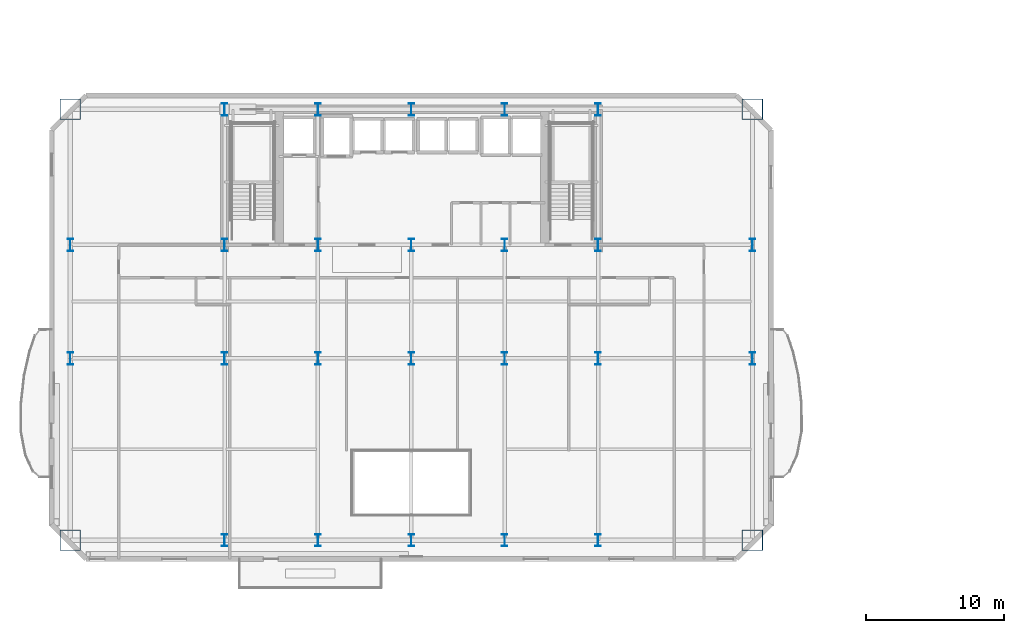
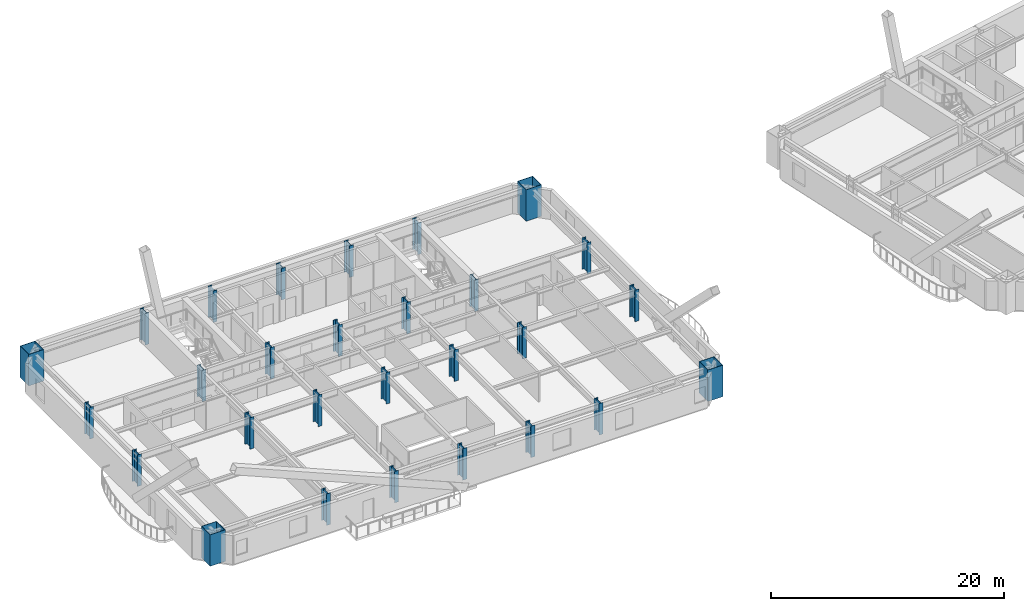
# One storey, part 1 of 18: 28 columns.
"""IFC4 building model written with IfcOpenShell, lengths in metres."""

from ifc_helpers import new_model, si_unit, direction, frame, origin, origin_2d, place, context, subcontext, project, spatial, hollow_rectangle, i_section, extrude, material, material_profile, profile_set, type_object, element, save


model = new_model("IFC4")

# Units and contexts
model_context = context("Model", 3, precision=1e-05, world=origin(), true_north=direction((0.0, 1.0)))
body_context = subcontext(model_context, "Body", "Model", "MODEL_VIEW")
ifc_project = project(units=[si_unit("LENGTHUNIT", "METRE"), si_unit("AREAUNIT", "SQUARE_METRE"), si_unit("VOLUMEUNIT", "CUBIC_METRE"), si_unit("PLANEANGLEUNIT", "RADIAN"), si_unit("MASSUNIT", "GRAM", prefix="KILO")], contexts=[model_context])

# Site, building, storey
site_placement = place(None, origin())
site = spatial("IfcSite", under=ifc_project, at=site_placement, CompositionType="ELEMENT")
building_placement = place(site_placement, origin())
building = spatial("IfcBuilding", under=site, at=building_placement, Name="Haevon Station Towers", CompositionType="ELEMENT")
storey_placement = place(building_placement, frame((0.0, 0.0, 60.300048828125)))
storey = spatial("IfcBuildingStorey", under=building, at=storey_placement, Name="L15", CompositionType="ELEMENT", Elevation=60.300048828125)

# Columns
ifc_material = material(Name="Steel S460", Category="steel")
ifc_material_profile_1 = material_profile(ifc_material, hollow_rectangle(XDim=1.5, YDim=1.5, WallThickness=0.0400390625, at=origin_2d()), Name="BOX-1500x1500x40")
ifc_profile_set_1 = profile_set([ifc_material_profile_1], Name="Steel S460")
column_type_1 = type_object("IfcColumnType", Name="COL-MC2", PredefinedType="COLUMN", material=ifc_profile_set_1)
for number, where, z_axis, x_axis, name in (
    (1, (12.85009765625, 16.85009765625, 0.0), (0.0, 0.0, 1.0), (1.0, 0.0, 0.0), "COL-T1-L15-01-01"),
    (2, (12.85009765625, 48.0, 0.0), (0.0, 0.0, 1.0), (1.0, 0.0, 0.0), "COL-T1-L15-01-04"),
    (3, (62.14990234375, 16.85009765625, 0.0), (0.0, 0.0, 1.0), (1.0, 0.0, 0.0), "COL-T1-L15-07-01"),
    (4, (62.14990234375, 48.0, 0.0), (0.0, 0.0, 1.0), (1.0, 0.0, 0.0), "COL-T1-L15-07-04"),
):
    element("IfcColumn", number, at=place(storey_placement, frame(where, z_axis=z_axis, x_axis=x_axis)), inside=storey, type_object=column_type_1, Name=name, PredefinedType="COLUMN", context=body_context, shape_type="SweptSolid", body=[
        extrude(hollow_rectangle(XDim=1.5, YDim=1.5, WallThickness=0.0400390625, at=origin_2d()), origin(), (0.0, 0.0, 1.0), 3.300048828125),
    ])
ifc_material_profile_2 = material_profile(ifc_material, i_section(OverallWidth=0.39990234375, OverallDepth=0.89990234375, WebThickness=0.02001953125, FlangeThickness=0.035888671875, at=origin_2d()), Name="H-900x400x20x36")
ifc_profile_set_2 = profile_set([ifc_material_profile_2], Name="Steel S460")
column_type_2 = type_object("IfcColumnType", Name="COL-TW1", PredefinedType="COLUMN", material=ifc_profile_set_2)
for number, where, z_axis, x_axis, name in (
    (5, (12.85009765625, 30.0, 0.0), (0.0, 0.0, 1.0), (1.0, 0.0, 0.0), "COL-T1-L15-01-02"),
    (6, (12.85009765625, 38.199951171875, 0.0), (0.0, 0.0, 1.0), (1.0, 0.0, 0.0), "COL-T1-L15-01-03"),
    (7, (24.0, 16.85009765625, 0.0), (0.0, 0.0, 1.0), (1.0, 0.0, 0.0), "COL-T1-L15-02-01"),
    (8, (24.0, 30.0, 0.0), (0.0, 0.0, 1.0), (1.0, 0.0, 0.0), "COL-T1-L15-02-02"),
    (9, (24.0, 38.199951171875, 0.0), (0.0, 0.0, 1.0), (1.0, 0.0, 0.0), "COL-T1-L15-02-03"),
    (10, (24.0, 48.0, 0.0), (0.0, 0.0, 1.0), (1.0, 0.0, 0.0), "COL-T1-L15-02-04"),
    (11, (30.75, 16.85009765625, 0.0), (0.0, 0.0, 1.0), (1.0, 0.0, 0.0), "COL-T1-L15-03-01"),
    (12, (30.75, 30.0, 0.0), (0.0, 0.0, 1.0), (1.0, 0.0, 0.0), "COL-T1-L15-03-02"),
    (13, (30.75, 38.199951171875, 0.0), (0.0, 0.0, 1.0), (1.0, 0.0, 0.0), "COL-T1-L15-03-03"),
    (14, (30.75, 48.0, 0.0), (0.0, 0.0, 1.0), (1.0, 0.0, 0.0), "COL-T1-L15-03-04"),
    (15, (37.5, 16.85009765625, 0.0), (0.0, 0.0, 1.0), (1.0, 0.0, 0.0), "COL-T1-L15-04-01"),
    (16, (37.5, 30.0, 0.0), (0.0, 0.0, 1.0), (1.0, 0.0, 0.0), "COL-T1-L15-04-02"),
    (17, (37.5, 38.199951171875, 0.0), (0.0, 0.0, 1.0), (1.0, 0.0, 0.0), "COL-T1-L15-04-03"),
    (18, (37.5, 48.0, 0.0), (0.0, 0.0, 1.0), (1.0, 0.0, 0.0), "COL-T1-L15-04-04"),
    (19, (44.25, 16.85009765625, 0.0), (0.0, 0.0, 1.0), (1.0, 0.0, 0.0), "COL-T1-L15-05-01"),
    (20, (44.25, 30.0, 0.0), (0.0, 0.0, 1.0), (1.0, 0.0, 0.0), "COL-T1-L15-05-02"),
    (21, (44.25, 38.199951171875, 0.0), (0.0, 0.0, 1.0), (1.0, 0.0, 0.0), "COL-T1-L15-05-03"),
    (22, (44.25, 48.0, 0.0), (0.0, 0.0, 1.0), (1.0, 0.0, 0.0), "COL-T1-L15-05-04"),
    (23, (51.0, 16.85009765625, 0.0), (0.0, 0.0, 1.0), (1.0, 0.0, 0.0), "COL-T1-L15-06-01"),
    (24, (51.0, 30.0, 0.0), (0.0, 0.0, 1.0), (1.0, 0.0, 0.0), "COL-T1-L15-06-02"),
    (25, (51.0, 38.199951171875, 0.0), (0.0, 0.0, 1.0), (1.0, 0.0, 0.0), "COL-T1-L15-06-03"),
    (26, (51.0, 48.0, 0.0), (0.0, 0.0, 1.0), (1.0, 0.0, 0.0), "COL-T1-L15-06-04"),
    (27, (62.14990234375, 30.0, 0.0), (0.0, 0.0, 1.0), (1.0, 0.0, 0.0), "COL-T1-L15-07-02"),
    (28, (62.14990234375, 38.199951171875, 0.0), (0.0, 0.0, 1.0), (1.0, 0.0, 0.0), "COL-T1-L15-07-03"),
):
    element("IfcColumn", number, at=place(storey_placement, frame(where, z_axis=z_axis, x_axis=x_axis)), inside=storey, type_object=column_type_2, Name=name, PredefinedType="COLUMN", context=body_context, shape_type="SweptSolid", body=[
        extrude(i_section(OverallWidth=0.39990234375, OverallDepth=0.89990234375, WebThickness=0.02001953125, FlangeThickness=0.035888671875, at=origin_2d()), origin(), (0.0, 0.0, 1.0), 3.300048828125),
    ])

save(model, "model.ifc")
